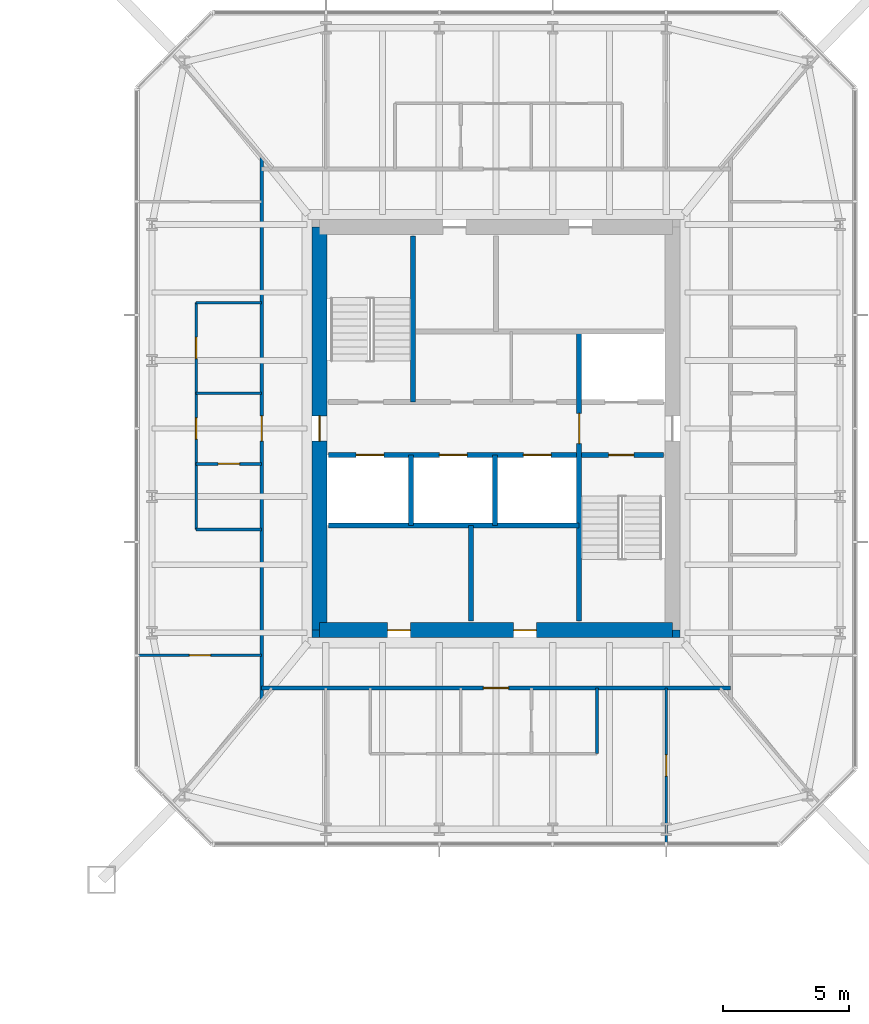
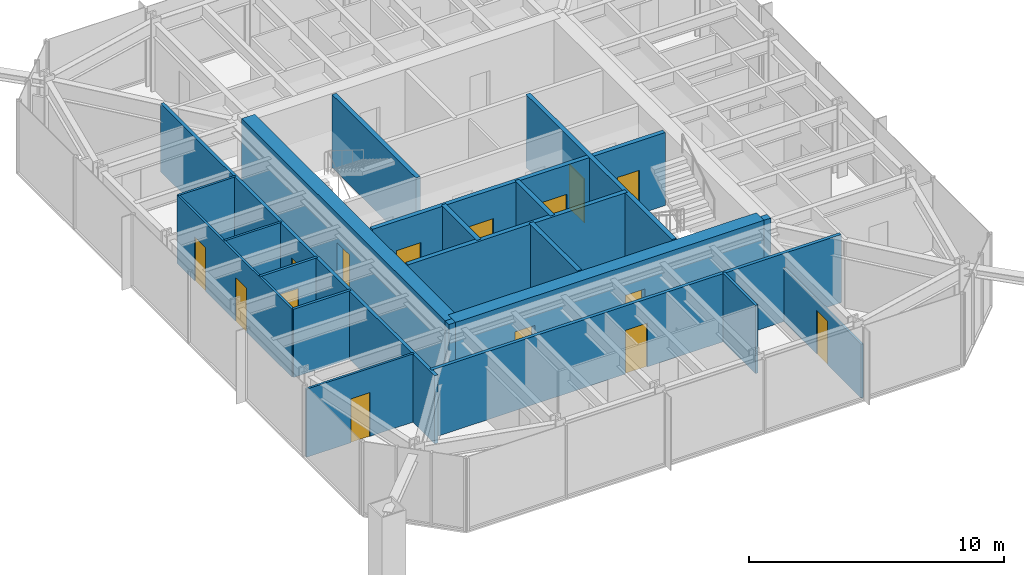
# One storey, part 17 of 25: 21 walls, 15 doors, 15 openings.
"""IFC4 building model written with IfcOpenShell, lengths in metres."""

import ifcopenshell
import ifcopenshell.guid

model = None  # the IFC model being written
_history = None  # IfcOwnerHistory: only IFC2X3 demands one
_inside = {}  # id of a spatial element -> (the spatial element, [elements in it])
_under = {}  # id of a project, library or spatial element -> (it, [spatial elements below it])
_declared = {}  # id of a project -> (the project, [libraries it declares])
_typed = {}  # id of a type object -> (the type object, [elements of that type])
_made_of = {}  # id of a material, layer set ... -> (it, [elements and type objects made of it])


def new_model(schema):
    """Start an empty IFC model of exactly this schema.

    Asked for "IFC4X3", IfcOpenShell would pick the latest addendum, in which some entities
    have other attributes; the version numbers below select the first issue.
    IFC2X3 requires an IfcOwnerHistory on every rooted entity: one is made here for all.
    """
    global model, _history
    if schema == "IFC4X3":
        model = ifcopenshell.file(schema_version=(4, 3, 0, 0))
    else:
        model = ifcopenshell.file(schema=schema)
    _inside.clear()
    _under.clear()
    _declared.clear()
    _typed.clear()
    _made_of.clear()
    _history = None
    if model.schema == "IFC2X3":
        org = make("IfcOrganization", Name="unknown")
        user = make(
            "IfcPersonAndOrganization",
            ThePerson=make("IfcPerson", FamilyName="unknown"),
            TheOrganization=org,
        )
        app = make(
            "IfcApplication",
            ApplicationDeveloper=org,
            Version="unknown",
            ApplicationFullName="unknown",
            ApplicationIdentifier="unknown",
        )
        _history = make(
            "IfcOwnerHistory",
            OwningUser=user,
            OwningApplication=app,
            ChangeAction="ADDED",
            CreationDate=0,
        )
    return model


def make(cls, **values):
    """One entity of the class cls with the attributes given. An attribute that is None is left unset."""
    return model.create_entity(
        cls, **{name: value for name, value in values.items() if value is not None}
    )


def rooted(cls, **values):
    """An entity with a GlobalId (a new one), such as an element, a storey or a relation."""
    return make(cls, GlobalId=ifcopenshell.guid.new(), OwnerHistory=_history, **values)


def si_unit(unit_type, name, prefix=None):
    """IfcSIUnit, for example si_unit("LENGTHUNIT", "METRE", prefix="MILLI")."""
    return make("IfcSIUnit", UnitType=unit_type, Prefix=prefix, Name=name)


def assignment(units):
    """IfcUnitAssignment: the units of a project."""
    return None if units is None else make("IfcUnitAssignment", Units=units)


def point(xyz):
    """IfcCartesianPoint."""
    return None if xyz is None else make("IfcCartesianPoint", Coordinates=xyz)


def direction(xyz):
    """IfcDirection."""
    return None if xyz is None else make("IfcDirection", DirectionRatios=xyz)


def frame(location, z_axis=None, x_axis=None):
    """IfcAxis2Placement3D, a coordinate frame: its origin and axes. An axis left out is left unset."""
    return make(
        "IfcAxis2Placement3D",
        Location=point(location),
        Axis=direction(z_axis),
        RefDirection=direction(x_axis),
    )


def frame_2d(location, x_axis=None):
    """IfcAxis2Placement2D, a coordinate frame in the plane: its origin and x axis."""
    return make(
        "IfcAxis2Placement2D", Location=point(location), RefDirection=direction(x_axis)
    )


def origin():
    """The frame at (0, 0, 0) with its axes left unset."""
    return frame((0.0, 0.0, 0.0))


def place(relative_to, where):
    """IfcLocalPlacement: puts the frame where relative to a parent placement (None: the world)."""
    return make(
        "IfcLocalPlacement", PlacementRelTo=relative_to, RelativePlacement=where
    )


def context(
    kind, dimensions, precision=None, world=None, true_north=None, identifier=None
):
    """IfcGeometricRepresentationContext, for example the 3D "Model" context."""
    return make(
        "IfcGeometricRepresentationContext",
        ContextIdentifier=identifier,
        ContextType=kind,
        CoordinateSpaceDimension=dimensions,
        Precision=precision,
        WorldCoordinateSystem=world,
        TrueNorth=true_north,
    )


def subcontext(parent, identifier, kind, view, scale=None):
    """IfcGeometricRepresentationSubContext, for example "Body" below "Model"."""
    return make(
        "IfcGeometricRepresentationSubContext",
        ContextIdentifier=identifier,
        ContextType=kind,
        ParentContext=parent,
        TargetScale=scale,
        TargetView=view,
    )


def project(units=None, contexts=None):
    """IfcProject with its units and contexts."""
    return rooted(
        "IfcProject",
        Name="project",
        RepresentationContexts=contexts,
        UnitsInContext=assignment(units),
    )


def spatial(cls, under=None, at=None, **own):
    """A site, building, storey or space (cls), placed at a placement, below another one or the project."""
    s = rooted(cls, ObjectPlacement=at, **own)
    if under is not None:
        _under.setdefault(under.id(), (under, []))[1].append(s)
    return s


def profile(cls, at=None, kind="AREA", **sizes):
    """A parametric profile (cls). Its sizes go by their IFC names, for example OverallWidth=200.0."""
    return make(cls, ProfileType=kind, Position=at, **sizes)


def rectangle(**sizes):
    """IfcRectangleProfileDef."""
    return profile("IfcRectangleProfileDef", **sizes)


def extrude(swept, where, along, depth):
    """IfcExtrudedAreaSolid: the profile swept, set in the frame where, extruded along a direction by depth."""
    return make(
        "IfcExtrudedAreaSolid",
        SweptArea=swept,
        Position=where,
        ExtrudedDirection=direction(along),
        Depth=depth,
    )


def shape(context_of_items, identifier, shape_type, items):
    """IfcShapeRepresentation: the items that make up one representation, for example the "Body"."""
    return make(
        "IfcShapeRepresentation",
        ContextOfItems=context_of_items,
        RepresentationIdentifier=identifier,
        RepresentationType=shape_type,
        Items=items,
    )


def material(Name=None, Category=None):
    """IfcMaterial."""
    return make("IfcMaterial", Name=Name, Category=Category)


def layer(
    of_material, thickness, ventilated=None, Name=None, Category=None, Priority=None
):
    """IfcMaterialLayer: one layer of a wall or slab, of a material (None: an air gap)."""
    return make(
        "IfcMaterialLayer",
        Material=of_material,
        LayerThickness=thickness,
        IsVentilated=ventilated,
        Name=Name,
        Category=Category,
        Priority=Priority,
    )


def layer_set(layers, Name=None):
    """IfcMaterialLayerSet."""
    return make("IfcMaterialLayerSet", MaterialLayers=layers, LayerSetName=Name)


def made_of(thing, what):
    """Note that an element or type object is made of a material, layer set ...; save() writes the relation."""
    if what is not None:
        _made_of.setdefault(what.id(), (what, []))[1].append(thing)
    return thing


def type_object(cls, material=None, **own):
    """A type object (cls), such as IfcWallType, which elements share."""
    return made_of(rooted(cls, **own), material)


def element(
    cls,
    number,
    at=None,
    inside=None,
    cuts=None,
    type_object=None,
    material=None,
    context=None,
    identifier="Body",
    shape_type=None,
    held_by="IfcProductDefinitionShape",
    body=None,
    shapes=None,
    **own,
):
    """One element of the class cls, such as IfcWall. Its Tag is "e" and its number.

    at: its placement. inside: the storey or other place that contains it. cuts: it is an
    opening in that element (IfcRelVoidsElement). A single representation is given by context,
    identifier, shape_type and body (its items); several are given by shapes. held_by: the class
    of the entity that holds the representations. save() writes the other relations.
    """
    e = rooted(cls, Tag="e%d" % number, ObjectPlacement=at, **own)
    if body is not None:
        shapes = [shape(context, identifier, shape_type, body)]
    if shapes is not None:
        e.Representation = make(held_by, Representations=shapes)
    if inside is not None:
        _inside.setdefault(inside.id(), (inside, []))[1].append(e)
    if cuts is not None:
        rooted(
            "IfcRelVoidsElement", RelatingBuildingElement=cuts, RelatedOpeningElement=e
        )
    if type_object is not None:
        _typed.setdefault(type_object.id(), (type_object, []))[1].append(e)
    return made_of(e, material)


def fill(opening, filler):
    """IfcRelFillsElement: the door or window that sits in an opening."""
    return rooted(
        "IfcRelFillsElement",
        RelatingOpeningElement=opening,
        RelatedBuildingElement=filler,
    )


def aggregate(whole, parts):
    """IfcRelAggregates: a whole, such as a stair, and the parts it consists of."""
    return rooted("IfcRelAggregates", RelatingObject=whole, RelatedObjects=parts)


def save(model, path):
    """Write the relations noted so far, then the file.

    IfcRelAggregates (storeys below a building ...), IfcRelContainedInSpatialStructure (elements
    in a storey), IfcRelDefinesByType, IfcRelAssociatesMaterial and IfcRelDeclares: one each for
    every whole, place, type object, material and project.
    """
    for whole, parts in _under.values():
        aggregate(whole, parts)
    for where, things in _inside.values():
        rooted(
            "IfcRelContainedInSpatialStructure",
            RelatedElements=things,
            RelatingStructure=where,
        )
    for kind, things in _typed.values():
        rooted("IfcRelDefinesByType", RelatedObjects=things, RelatingType=kind)
    for what, things in _made_of.values():
        rooted("IfcRelAssociatesMaterial", RelatedObjects=things, RelatingMaterial=what)
    for by, libraries in _declared.values():
        rooted("IfcRelDeclares", RelatingContext=by, RelatedDefinitions=libraries)
    model.write(path)


model = new_model("IFC4")

# Units and contexts
model_context = context("Model", 3, precision=1e-05, world=origin(), true_north=direction((0.0, 1.0)))
body_context = subcontext(model_context, "Body", "Model", "MODEL_VIEW")
ifc_project = project(units=[si_unit("LENGTHUNIT", "METRE"), si_unit("AREAUNIT", "SQUARE_METRE"), si_unit("VOLUMEUNIT", "CUBIC_METRE"), si_unit("PLANEANGLEUNIT", "RADIAN"), si_unit("MASSUNIT", "GRAM", prefix="KILO")], contexts=[model_context])

# Site, building, storey
site_placement = place(None, origin())
site = spatial("IfcSite", under=ifc_project, at=site_placement, CompositionType="ELEMENT")
building_placement = place(site_placement, origin())
building = spatial("IfcBuilding", under=site, at=building_placement, Name="Iwan Alto Co-Living Towers", CompositionType="ELEMENT")
storey_placement = place(building_placement, frame((0.0, 0.0, 112.0)))
storey = spatial("IfcBuildingStorey", under=building, at=storey_placement, Name="L30", CompositionType="ELEMENT", Elevation=112.0)

# Wall, opening, door
ifc_material_1 = material(Name="Gypsum board")
ifc_layer_1 = layer(ifc_material_1, 0.02490234375, Name="Board", Category="Finish")
ifc_material_2 = material(Name="Steel ASTM A1003 ST33H cold-formed studs", Category="steel")
ifc_layer_2 = layer(ifc_material_2, 0.10009765625, Name="Studs", Category="Framing")
ifc_layer_3 = layer(ifc_material_1, 0.02490234375, Name="Board", Category="Finish")
ifc_layer_set_1 = layer_set([ifc_layer_1, ifc_layer_2, ifc_layer_3], Name="CORRIDOR WALL 150")
wall_type_1 = type_object("IfcWallType", Name="CORRIDOR WALL 150", PredefinedType="PARTITIONING", material=ifc_layer_set_1)
wall_1_placement = place(storey_placement, frame((53.699951171875, -10.300048828125, 0.0), z_axis=(0.0, 0.0, 1.0), x_axis=(1.0, 0.0, 0.0)))
wall_1 = element("IfcWall", 1, at=wall_1_placement, inside=storey, type_object=wall_type_1, Name="Partition L30", PredefinedType="PARTITIONING", context=body_context, shape_type="SweptSolid", body=[
    extrude(rectangle(XDim=18.60009765625, YDim=0.14990234375, at=frame_2d((9.300048828125, 0.0))), origin(), (0.0, 0.0, 1.0), 3.27001953125),
])
opening_1_placement = place(wall_1_placement, frame((8.800048828125, 0.0, 0.0)))
opening_1 = element("IfcOpeningElement", 2, at=opening_1_placement, cuts=wall_1, Name="Opening D3", PredefinedType="OPENING", context=body_context, shape_type="SweptSolid", body=[
    extrude(rectangle(XDim=1.0, YDim=2.10009765625, at=frame_2d((0.5, 1.050048828125))), frame((0.0, 0.0849609375, 0.0), z_axis=(0.0, -1.0, 0.0), x_axis=(1.0, 0.0, 0.0)), (0.0, 0.0, 1.0), 0.169921875),
])
ifc_material_3 = material(Name="Steel frame with timber leaf", Category="steel")
door_type_1 = type_object("IfcDoorType", Name="FLAT ENTRANCE DOOR FD30S 1000X2100", OperationType="SINGLE_SWING_LEFT", PredefinedType="DOOR", material=ifc_material_3)
door_1_placement = place(opening_1_placement, frame((1.0, 0.0, 0.0), z_axis=(0.0, 0.0, 1.0), x_axis=(-1.0, 0.0, 0.0)))
door_1 = element("IfcDoor", 3, at=door_1_placement, inside=storey, type_object=door_type_1, Name="Apartment foyer door L30", OperationType="SINGLE_SWING_RIGHT", OverallHeight=2.10009765625, OverallWidth=1.0, PredefinedType="DOOR", context=body_context, shape_type="SweptSolid", body=[
    extrude(rectangle(XDim=1.0, YDim=2.10009765625, at=frame_2d((0.5, 1.050048828125))), frame((0.0, 0.02490234375, 0.0), z_axis=(0.0, -1.0, 0.0), x_axis=(1.0, 0.0, 0.0)), (0.0, 0.0, 1.0), 0.050048828125),
])
fill(opening_1, door_1)

wall_2_placement = place(storey_placement, frame((53.699951171875, -10.76806640625, 0.0), z_axis=(0.0, 0.0, 1.0), x_axis=(0.0, 1.0, 0.0)))
wall_2 = element("IfcWall", 4, at=wall_2_placement, inside=storey, type_object=wall_type_1, Name="Partition L30", PredefinedType="PARTITIONING", context=body_context, shape_type="SweptSolid", body=[
    extrude(rectangle(XDim=21.5361328125, YDim=0.14990234375, at=frame_2d((10.76806640625, 0.0))), origin(), (0.0, 0.0, 1.0), 3.27001953125),
])
opening_2_placement = place(wall_2_placement, frame((10.26806640625, 0.0, 0.0)))
opening_2 = element("IfcOpeningElement", 5, at=opening_2_placement, cuts=wall_2, Name="Opening D3", PredefinedType="OPENING", context=body_context, shape_type="SweptSolid", body=[
    extrude(rectangle(XDim=1.0, YDim=2.10009765625, at=frame_2d((0.5, 1.050048828125))), frame((0.0, 0.0849609375, 0.0), z_axis=(0.0, -1.0, 0.0), x_axis=(1.0, 0.0, 0.0)), (0.0, 0.0, 1.0), 0.169921875),
])
door_2_placement = place(opening_2_placement, origin())
door_2 = element("IfcDoor", 6, at=door_2_placement, inside=storey, type_object=door_type_1, Name="Apartment foyer door L30", OperationType="SINGLE_SWING_LEFT", OverallHeight=2.10009765625, OverallWidth=1.0, PredefinedType="DOOR", context=body_context, shape_type="SweptSolid", body=[
    extrude(rectangle(XDim=1.0, YDim=2.10009765625, at=frame_2d((0.5, 1.050048828125))), frame((0.0, 0.02490234375, 0.0), z_axis=(0.0, -1.0, 0.0), x_axis=(1.0, 0.0, 0.0)), (0.0, 0.0, 1.0), 0.050048828125),
])
fill(opening_2, door_2)

ifc_layer_4 = layer(ifc_material_1, 0.012451171875, Name="Board", Category="Finish")
ifc_layer_5 = layer(ifc_material_2, 0.074951171875, Name="Studs", Category="Framing")
ifc_layer_6 = layer(ifc_material_1, 0.012451171875, Name="Board", Category="Finish")
ifc_layer_set_2 = layer_set([ifc_layer_4, ifc_layer_5, ifc_layer_6], Name="PARTITION 100")
wall_type_2 = type_object("IfcWallType", Name="PARTITION 100", PredefinedType="PARTITIONING", material=ifc_layer_set_2)
wall_3_placement = place(storey_placement, frame((48.81005859375, -9.0, 0.0), z_axis=(0.0, 0.0, 1.0), x_axis=(1.0, 0.0, 0.0)))
wall_3 = element("IfcWall", 7, at=wall_3_placement, inside=storey, type_object=wall_type_2, Name="Partition L30", PredefinedType="PARTITIONING", context=body_context, shape_type="SweptSolid", body=[
    extrude(rectangle(XDim=4.889892578125, YDim=0.10009765625, at=frame_2d((2.44482421875, 0.0))), origin(), (0.0, 0.0, 1.0), 3.27001953125),
])
opening_3_placement = place(wall_3_placement, frame((2.02001953125, 0.0, 0.0)))
opening_3 = element("IfcOpeningElement", 8, at=opening_3_placement, cuts=wall_3, Name="Opening D2", PredefinedType="OPENING", context=body_context, shape_type="SweptSolid", body=[
    extrude(rectangle(XDim=0.85009765625, YDim=2.10009765625, at=frame_2d((0.425048828125, 1.050048828125))), frame((0.0, 0.06005859375, 0.0), z_axis=(0.0, -1.0, 0.0), x_axis=(1.0, 0.0, 0.0)), (0.0, 0.0, 1.0), 0.1201171875),
])
ifc_material_4 = material(Name="Timber leaf in steel frame", Category="steel")
door_type_2 = type_object("IfcDoorType", Name="ROOM DOOR 850X2100", OperationType="SINGLE_SWING_LEFT", PredefinedType="DOOR", material=ifc_material_4)
door_3_placement = place(opening_3_placement, origin())
door_3 = element("IfcDoor", 9, at=door_3_placement, inside=storey, type_object=door_type_2, Name="Study door L30", OperationType="SINGLE_SWING_RIGHT", OverallHeight=2.10009765625, OverallWidth=0.85009765625, PredefinedType="DOOR", context=body_context, shape_type="SweptSolid", body=[
    extrude(rectangle(XDim=0.85009765625, YDim=2.10009765625, at=frame_2d((0.425048828125, 1.050048828125))), frame((0.0, 0.02490234375, 0.0), z_axis=(0.0, -1.0, 0.0), x_axis=(1.0, 0.0, 0.0)), (0.0, 0.0, 1.0), 0.050048828125),
])
fill(opening_3, door_3)

# Walls
for number, where, z_axis, x_axis, name in (
    (10, (51.10009765625, 1.39990234375, 0.0), (0.0, 0.0, 1.0), (1.0, 0.0, 0.0), "Partition L30"),
    (11, (51.10009765625, 5.0, 0.0), (0.0, 0.0, 1.0), (1.0, 0.0, 0.0), "Partition L30"),
):
    element("IfcWall", number, at=place(storey_placement, frame(where, z_axis=z_axis, x_axis=x_axis)), inside=storey, type_object=wall_type_2, Name=name, PredefinedType="PARTITIONING", context=body_context, shape_type="SweptSolid", body=[
        extrude(rectangle(XDim=2.599853515625, YDim=0.10009765625, at=frame_2d((1.2998046875, 0.0))), origin(), (0.0, 0.0, 1.0), 3.27001953125),
    ])

# Wall, opening, door
wall_4_placement = place(storey_placement, frame((69.75, -16.43994140625, 0.0), z_axis=(0.0, 0.0, 1.0), x_axis=(0.0, 1.0, 0.0)))
wall_4 = element("IfcWall", 12, at=wall_4_placement, inside=storey, type_object=wall_type_2, Name="Partition L30", PredefinedType="PARTITIONING", context=body_context, shape_type="SweptSolid", body=[
    extrude(rectangle(XDim=6.139892578125, YDim=0.10009765625, at=frame_2d((3.06982421875, 0.0))), origin(), (0.0, 0.0, 1.0), 2.586669921875),
])
opening_4_placement = place(wall_4_placement, frame((2.64501953125, 0.0, 0.0)))
opening_4 = element("IfcOpeningElement", 13, at=opening_4_placement, cuts=wall_4, Name="Opening D2", PredefinedType="OPENING", context=body_context, shape_type="SweptSolid", body=[
    extrude(rectangle(XDim=0.85009765625, YDim=2.10009765625, at=frame_2d((0.425048828125, 1.050048828125))), frame((0.0, 0.06005859375, 0.0), z_axis=(0.0, -1.0, 0.0), x_axis=(1.0, 0.0, 0.0)), (0.0, 0.0, 1.0), 0.1201171875),
])
door_4_placement = place(opening_4_placement, origin())
door_4 = element("IfcDoor", 14, at=door_4_placement, inside=storey, type_object=door_type_2, Name="Bedroom door L30", OperationType="SINGLE_SWING_RIGHT", OverallHeight=2.10009765625, OverallWidth=0.85009765625, PredefinedType="DOOR", context=body_context, shape_type="SweptSolid", body=[
    extrude(rectangle(XDim=0.85009765625, YDim=2.10009765625, at=frame_2d((0.425048828125, 1.050048828125))), frame((0.0, 0.02490234375, 0.0), z_axis=(0.0, -1.0, 0.0), x_axis=(1.0, 0.0, 0.0)), (0.0, 0.0, 1.0), 0.050048828125),
])
fill(opening_4, door_4)

# Wall, openings, doors
wall_5_placement = place(storey_placement, frame((51.10009765625, -4.0, 0.0), z_axis=(0.0, 0.0, 1.0), x_axis=(0.0, 1.0, 0.0)))
wall_5 = element("IfcWall", 15, at=wall_5_placement, inside=storey, type_object=wall_type_2, Name="Partition L30", PredefinedType="PARTITIONING", context=body_context, shape_type="SweptSolid", body=[
    extrude(rectangle(XDim=9.0, YDim=0.10009765625, at=frame_2d((4.5, 0.0))), origin(), (0.0, 0.0, 1.0), 3.27001953125),
])
opening_5_placement = place(wall_5_placement, frame((6.77490234375, 0.0, 0.0)))
opening_5 = element("IfcOpeningElement", 16, at=opening_5_placement, cuts=wall_5, Name="Opening D2", PredefinedType="OPENING", context=body_context, shape_type="SweptSolid", body=[
    extrude(rectangle(XDim=0.85009765625, YDim=2.10009765625, at=frame_2d((0.425048828125, 1.050048828125))), frame((0.0, 0.06005859375, 0.0), z_axis=(0.0, -1.0, 0.0), x_axis=(1.0, 0.0, 0.0)), (0.0, 0.0, 1.0), 0.1201171875),
])
opening_6_placement = place(wall_5_placement, frame((3.574951171875, 0.0, 0.0)))
opening_6 = element("IfcOpeningElement", 17, at=opening_6_placement, cuts=wall_5, Name="Opening D2", PredefinedType="OPENING", context=body_context, shape_type="SweptSolid", body=[
    extrude(rectangle(XDim=0.85009765625, YDim=2.10009765625, at=frame_2d((0.425048828125, 1.050048828125))), frame((0.0, 0.06005859375, 0.0), z_axis=(0.0, -1.0, 0.0), x_axis=(1.0, 0.0, 0.0)), (0.0, 0.0, 1.0), 0.1201171875),
])
door_5_placement = place(opening_5_placement, origin())
door_5 = element("IfcDoor", 18, at=door_5_placement, inside=storey, type_object=door_type_2, Name="Kitchen door L30", OperationType="SINGLE_SWING_RIGHT", OverallHeight=2.10009765625, OverallWidth=0.85009765625, PredefinedType="DOOR", context=body_context, shape_type="SweptSolid", body=[
    extrude(rectangle(XDim=0.85009765625, YDim=2.10009765625, at=frame_2d((0.425048828125, 1.050048828125))), frame((0.0, 0.02490234375, 0.0), z_axis=(0.0, -1.0, 0.0), x_axis=(1.0, 0.0, 0.0)), (0.0, 0.0, 1.0), 0.050048828125),
])
fill(opening_5, door_5)
door_6_placement = place(opening_6_placement, origin())
door_6 = element("IfcDoor", 19, at=door_6_placement, inside=storey, type_object=door_type_2, Name="Apartment foyer door L30", OperationType="SINGLE_SWING_LEFT", OverallHeight=2.10009765625, OverallWidth=0.85009765625, PredefinedType="DOOR", context=body_context, shape_type="SweptSolid", body=[
    extrude(rectangle(XDim=0.85009765625, YDim=2.10009765625, at=frame_2d((0.425048828125, 1.050048828125))), frame((0.0, 0.02490234375, 0.0), z_axis=(0.0, -1.0, 0.0), x_axis=(1.0, 0.0, 0.0)), (0.0, 0.0, 1.0), 0.050048828125),
])
fill(opening_6, door_6)

# Wall
ifc_material_5 = material(Name="Concrete f'c 70 MPa", Category="concrete")
ifc_layer_7 = layer(ifc_material_5, 0.199951171875)
ifc_layer_set_3 = layer_set([ifc_layer_7], Name="SHAFT WALL 200")
wall_type_3 = type_object("IfcWallType", Name="SHAFT WALL 200", PredefinedType="SOLIDWALL", material=ifc_layer_set_3)
wall_6_placement = place(storey_placement, frame((56.360107421875, -3.85009765625, 0.0), z_axis=(0.0, 0.0, 1.0), x_axis=(1.0, 0.0, 0.0)))
element("IfcWall", 20, at=wall_6_placement, inside=storey, type_object=wall_type_3, Name="Shaft wall L30", PredefinedType="SOLIDWALL", context=body_context, shape_type="SweptSolid", body=[
    extrude(rectangle(XDim=9.93994140625, YDim=0.199951171875, at=frame_2d((4.969970703125, 0.0))), origin(), (0.0, 0.0, 1.0), 3.5),
])

# Wall, openings, doors
wall_7_placement = place(storey_placement, frame((56.360107421875, -1.050048828125, 0.0), z_axis=(0.0, 0.0, 1.0), x_axis=(1.0, 0.0, 0.0)))
wall_7 = element("IfcWall", 21, at=wall_7_placement, inside=storey, type_object=wall_type_3, Name="Shaft wall L30", PredefinedType="SOLIDWALL", context=body_context, shape_type="SweptSolid", body=[
    extrude(rectangle(XDim=13.27978515625, YDim=0.199951171875, at=frame_2d((6.639892578125, 0.0))), origin(), (0.0, 0.0, 1.0), 3.5),
])
opening_7_placement = place(wall_7_placement, frame((11.110107421875, 0.0, 0.0)))
opening_7 = element("IfcOpeningElement", 22, at=opening_7_placement, cuts=wall_7, Name="Opening D5", PredefinedType="OPENING", context=body_context, shape_type="SweptSolid", body=[
    extrude(rectangle(XDim=1.0, YDim=2.10009765625, at=frame_2d((0.5, 1.050048828125))), frame((0.0, 0.10986328125, 0.0), z_axis=(0.0, -1.0, 0.0), x_axis=(1.0, 0.0, 0.0)), (0.0, 0.0, 1.0), 0.219970703125),
])
opening_8_placement = place(wall_7_placement, frame((1.0869140625, 0.0, 0.0)))
opening_8 = element("IfcOpeningElement", 23, at=opening_8_placement, cuts=wall_7, Name="Opening LD", PredefinedType="OPENING", context=body_context, shape_type="SweptSolid", body=[
    extrude(rectangle(XDim=1.10009765625, YDim=2.10009765625, at=frame_2d((0.550048828125, 1.050048828125))), frame((0.0, 0.10986328125, 0.0), z_axis=(0.0, -1.0, 0.0), x_axis=(1.0, 0.0, 0.0)), (0.0, 0.0, 1.0), 0.219970703125),
])
opening_9_placement = place(wall_7_placement, frame((4.389892578125, 0.0, 0.0)))
opening_9 = element("IfcOpeningElement", 24, at=opening_9_placement, cuts=wall_7, Name="Opening LD", PredefinedType="OPENING", context=body_context, shape_type="SweptSolid", body=[
    extrude(rectangle(XDim=1.10009765625, YDim=2.10009765625, at=frame_2d((0.550048828125, 1.050048828125))), frame((0.0, 0.10986328125, 0.0), z_axis=(0.0, -1.0, 0.0), x_axis=(1.0, 0.0, 0.0)), (0.0, 0.0, 1.0), 0.219970703125),
])
opening_10_placement = place(wall_7_placement, frame((7.72412109375, 0.0, 0.0)))
opening_10 = element("IfcOpeningElement", 25, at=opening_10_placement, cuts=wall_7, Name="Opening LD", PredefinedType="OPENING", context=body_context, shape_type="SweptSolid", body=[
    extrude(rectangle(XDim=1.10009765625, YDim=2.10009765625, at=frame_2d((0.550048828125, 1.050048828125))), frame((0.0, 0.10986328125, 0.0), z_axis=(0.0, -1.0, 0.0), x_axis=(1.0, 0.0, 0.0)), (0.0, 0.0, 1.0), 0.219970703125),
])
ifc_material_6 = material(Name="Steel frame with timber leaf", Category="steel")
door_type_3 = type_object("IfcDoorType", Name="LIFT LANDING DOOR 1100X2100", OperationType="DOUBLE_DOOR_SLIDING", PredefinedType="DOOR", material=ifc_material_6)
door_7_placement = place(opening_8_placement, origin())
door_7 = element("IfcDoor", 26, at=door_7_placement, inside=storey, type_object=door_type_3, Name="Lift P5-1 landing door L30", OperationType="DOUBLE_DOOR_SLIDING", OverallHeight=2.10009765625, OverallWidth=1.10009765625, PredefinedType="DOOR", context=body_context, shape_type="SweptSolid", body=[
    extrude(rectangle(XDim=1.10009765625, YDim=2.10009765625, at=frame_2d((0.550048828125, 1.050048828125))), frame((0.0, 0.02490234375, 0.0), z_axis=(0.0, -1.0, 0.0), x_axis=(1.0, 0.0, 0.0)), (0.0, 0.0, 1.0), 0.050048828125),
])
fill(opening_8, door_7)
door_8_placement = place(opening_9_placement, origin())
door_8 = element("IfcDoor", 27, at=door_8_placement, inside=storey, type_object=door_type_3, Name="Lift P5-2 landing door L30", OperationType="DOUBLE_DOOR_SLIDING", OverallHeight=2.10009765625, OverallWidth=1.10009765625, PredefinedType="DOOR", context=body_context, shape_type="SweptSolid", body=[
    extrude(rectangle(XDim=1.10009765625, YDim=2.10009765625, at=frame_2d((0.550048828125, 1.050048828125))), frame((0.0, 0.02490234375, 0.0), z_axis=(0.0, -1.0, 0.0), x_axis=(1.0, 0.0, 0.0)), (0.0, 0.0, 1.0), 0.050048828125),
])
fill(opening_9, door_8)
door_9_placement = place(opening_10_placement, origin())
door_9 = element("IfcDoor", 28, at=door_9_placement, inside=storey, type_object=door_type_3, Name="Lift P6-3 landing door L30", OperationType="DOUBLE_DOOR_SLIDING", OverallHeight=2.10009765625, OverallWidth=1.10009765625, PredefinedType="DOOR", context=body_context, shape_type="SweptSolid", body=[
    extrude(rectangle(XDim=1.10009765625, YDim=2.10009765625, at=frame_2d((0.550048828125, 1.050048828125))), frame((0.0, 0.02490234375, 0.0), z_axis=(0.0, -1.0, 0.0), x_axis=(1.0, 0.0, 0.0)), (0.0, 0.0, 1.0), 0.050048828125),
])
fill(opening_10, door_9)
ifc_material_7 = material(Name="Steel frame with timber leaf", Category="steel")
door_type_4 = type_object("IfcDoorType", Name="STAIR DOOR FD120S 1000X2100", OperationType="SINGLE_SWING_LEFT", PredefinedType="DOOR", material=ifc_material_7)
door_10_placement = place(opening_7_placement, frame((1.0, 0.0, 0.0), z_axis=(0.0, 0.0, 1.0), x_axis=(-1.0, 0.0, 0.0)))
door_10 = element("IfcDoor", 29, at=door_10_placement, inside=storey, type_object=door_type_4, Name="Stair S2 door L30", OperationType="SINGLE_SWING_RIGHT", OverallHeight=2.10009765625, OverallWidth=1.0, PredefinedType="DOOR", context=body_context, shape_type="SweptSolid", body=[
    extrude(rectangle(XDim=1.0, YDim=2.10009765625, at=frame_2d((0.5, 1.050048828125))), frame((0.0, 0.02490234375, 0.0), z_axis=(0.0, -1.0, 0.0), x_axis=(1.0, 0.0, 0.0)), (0.0, 0.0, 1.0), 0.050048828125),
])
fill(opening_7, door_10)

# Wall, opening, door
wall_8_placement = place(storey_placement, frame((66.300048828125, -7.639892578125, 0.0), z_axis=(0.0, 0.0, 1.0), x_axis=(0.0, 1.0, 0.0)))
wall_8 = element("IfcWall", 30, at=wall_8_placement, inside=storey, type_object=wall_type_3, Name="Shaft wall L30", PredefinedType="SOLIDWALL", context=body_context, shape_type="SweptSolid", body=[
    extrude(rectangle(XDim=11.489990234375, YDim=0.199951171875, at=frame_2d((5.7451171875, 0.0))), origin(), (0.0, 0.0, 1.0), 3.5),
])
opening_11_placement = place(wall_8_placement, frame((7.0400390625, 0.0, 0.0)))
opening_11 = element("IfcOpeningElement", 31, at=opening_11_placement, cuts=wall_8, Name="Opening D6", PredefinedType="OPENING", context=body_context, shape_type="SweptSolid", body=[
    extrude(rectangle(XDim=1.199951171875, YDim=2.10009765625, at=frame_2d((0.60009765625, 1.050048828125))), frame((0.0, 0.10986328125, 0.0), z_axis=(0.0, -1.0, 0.0), x_axis=(1.0, 0.0, 0.0)), (0.0, 0.0, 1.0), 0.219970703125),
])
ifc_material_8 = material(Name="Steel frame with timber leaf", Category="steel")
door_type_5 = type_object("IfcDoorType", Name="LOBBY DOOR FD120S 1200X2100", OperationType="SINGLE_SWING_LEFT", PredefinedType="DOOR", material=ifc_material_8)
door_11_placement = place(opening_11_placement, frame((1.199951171875, 0.0, 0.0), z_axis=(0.0, 0.0, 1.0), x_axis=(-1.0, 0.0, 0.0)))
door_11 = element("IfcDoor", 32, at=door_11_placement, inside=storey, type_object=door_type_5, Name="Firefighting lobby door L30", OperationType="SINGLE_SWING_RIGHT", OverallHeight=2.10009765625, OverallWidth=1.199951171875, PredefinedType="DOOR", context=body_context, shape_type="SweptSolid", body=[
    extrude(rectangle(XDim=1.199951171875, YDim=2.10009765625, at=frame_2d((0.60009765625, 1.050048828125))), frame((0.0, 0.02490234375, 0.0), z_axis=(0.0, -1.0, 0.0), x_axis=(1.0, 0.0, 0.0)), (0.0, 0.0, 1.0), 0.050048828125),
])
fill(opening_11, door_11)

# Walls
wall_9_placement = place(storey_placement, frame((62.967041015625, -3.85009765625, 0.0), z_axis=(0.0, 0.0, 1.0), x_axis=(0.0, 1.0, 0.0)))
element("IfcWall", 33, at=wall_9_placement, inside=storey, type_object=wall_type_3, Name="Shaft wall L30", PredefinedType="SOLIDWALL", context=body_context, shape_type="SweptSolid", body=[
    extrude(rectangle(XDim=2.800048828125, YDim=0.199951171875, at=frame_2d((1.39990234375, 0.0))), origin(), (0.0, 0.0, 1.0), 3.5),
])
wall_10_placement = place(storey_placement, frame((62.0, -7.639892578125, 0.0), z_axis=(0.0, 0.0, 1.0), x_axis=(0.0, 1.0, 0.0)))
element("IfcWall", 34, at=wall_10_placement, inside=storey, type_object=wall_type_3, Name="Shaft wall L30", PredefinedType="SOLIDWALL", context=body_context, shape_type="SweptSolid", body=[
    extrude(rectangle(XDim=3.789794921875, YDim=0.199951171875, at=frame_2d((1.89501953125, 0.0))), origin(), (0.0, 0.0, 1.0), 3.5),
])
wall_11_placement = place(storey_placement, frame((59.699951171875, 1.050048828125, 0.0), z_axis=(0.0, 0.0, 1.0), x_axis=(0.0, 1.0, 0.0)))
element("IfcWall", 35, at=wall_11_placement, inside=storey, type_object=wall_type_3, Name="Shaft wall L30", PredefinedType="SOLIDWALL", context=body_context, shape_type="SweptSolid", body=[
    extrude(rectangle(XDim=6.58984375, YDim=0.199951171875, at=frame_2d((3.294921875, 0.0))), origin(), (0.0, 0.0, 1.0), 3.5),
])
wall_12_placement = place(storey_placement, frame((59.633056640625, -3.85009765625, 0.0), z_axis=(0.0, 0.0, 1.0), x_axis=(0.0, 1.0, 0.0)))
element("IfcWall", 36, at=wall_12_placement, inside=storey, type_object=wall_type_3, Name="Shaft wall L30", PredefinedType="SOLIDWALL", context=body_context, shape_type="SweptSolid", body=[
    extrude(rectangle(XDim=2.800048828125, YDim=0.199951171875, at=frame_2d((1.39990234375, 0.0))), origin(), (0.0, 0.0, 1.0), 3.5),
])
ifc_material_9 = material(Name="Concrete f'c 70 MPa", Category="concrete")
ifc_layer_8 = layer(ifc_material_9, 0.300048828125)
ifc_layer_set_4 = layer_set([ifc_layer_8], Name="T2 CORE CORNER FILL 300")
wall_type_4 = type_object("IfcWallType", Name="T2 CORE CORNER FILL 300", PredefinedType="SOLIDWALL", material=ifc_layer_set_4)
for number, where, z_axis, x_axis, name in (
    (37, (55.699951171875, -8.14990234375, 0.0), (0.0, 0.0, 1.0), (1.0, 0.0, 0.0), "T2 core corner SW L30"),
    (38, (70.0, -8.14990234375, 0.0), (0.0, 0.0, 1.0), (1.0, 0.0, 0.0), "T2 core corner SE L30"),
):
    element("IfcWall", number, at=place(storey_placement, frame(where, z_axis=z_axis, x_axis=x_axis)), inside=storey, type_object=wall_type_4, Name=name, PredefinedType="SOLIDWALL", context=body_context, shape_type="SweptSolid", body=[
        extrude(rectangle(XDim=0.300048828125, YDim=0.300048828125, at=frame_2d((0.14990234375, 0.0))), origin(), (0.0, 0.0, 1.0), 3.5),
    ])

# Wall, openings, doors
ifc_material_10 = material(Name="Concrete f'c 70 MPa", Category="concrete")
ifc_layer_9 = layer(ifc_material_10, 0.60009765625)
ifc_layer_set_5 = layer_set([ifc_layer_9], Name="T2 CORE WALL 600")
wall_type_5 = type_object("IfcWallType", Name="T2 CORE WALL 600", PredefinedType="SHEAR", material=ifc_layer_set_5)
wall_13_placement = place(storey_placement, frame((56.0, -8.0, 0.0), z_axis=(0.0, 0.0, 1.0), x_axis=(1.0, 0.0, 0.0)))
wall_13 = element("IfcWall", 39, at=wall_13_placement, inside=storey, type_object=wall_type_5, Name="T2 core wall S L30", PredefinedType="SHEAR", context=body_context, shape_type="SweptSolid", body=[
    extrude(rectangle(XDim=14.0, YDim=0.60009765625, at=frame_2d((7.0, 0.0))), origin(), (0.0, 0.0, 1.0), 3.5),
])
opening_12_placement = place(wall_13_placement, frame((2.699951171875, 0.0, 0.0)))
opening_12 = element("IfcOpeningElement", 40, at=opening_12_placement, cuts=wall_13, Name="Opening D8", PredefinedType="OPENING", context=body_context, shape_type="SweptSolid", body=[
    extrude(rectangle(XDim=0.89990234375, YDim=2.10009765625, at=frame_2d((0.449951171875, 1.050048828125))), frame((0.0, 0.31005859375, 0.0), z_axis=(0.0, -1.0, 0.0), x_axis=(1.0, 0.0, 0.0)), (0.0, 0.0, 1.0), 0.6201171875),
])
opening_13_placement = place(wall_13_placement, frame((7.699951171875, 0.0, 0.0)))
opening_13 = element("IfcOpeningElement", 41, at=opening_13_placement, cuts=wall_13, Name="Opening D8", PredefinedType="OPENING", context=body_context, shape_type="SweptSolid", body=[
    extrude(rectangle(XDim=0.89990234375, YDim=2.10009765625, at=frame_2d((0.449951171875, 1.050048828125))), frame((0.0, 0.31005859375, 0.0), z_axis=(0.0, -1.0, 0.0), x_axis=(1.0, 0.0, 0.0)), (0.0, 0.0, 1.0), 0.6201171875),
])
ifc_material_11 = material(Name="Steel frame with timber leaf", Category="steel")
door_type_6 = type_object("IfcDoorType", Name="RISER DOOR FD120 900X2100", OperationType="SINGLE_SWING_LEFT", PredefinedType="DOOR", material=ifc_material_11)
door_12_placement = place(opening_12_placement, origin())
door_12 = element("IfcDoor", 42, at=door_12_placement, inside=storey, type_object=door_type_6, Name="Refuse room core door L30", OperationType="SINGLE_SWING_LEFT", OverallHeight=2.10009765625, OverallWidth=0.89990234375, PredefinedType="DOOR", context=body_context, shape_type="SweptSolid", body=[
    extrude(rectangle(XDim=0.89990234375, YDim=2.10009765625, at=frame_2d((0.449951171875, 1.050048828125))), frame((0.0, 0.02490234375, 0.0), z_axis=(0.0, -1.0, 0.0), x_axis=(1.0, 0.0, 0.0)), (0.0, 0.0, 1.0), 0.050048828125),
])
fill(opening_12, door_12)
door_13_placement = place(opening_13_placement, origin())
door_13 = element("IfcDoor", 43, at=door_13_placement, inside=storey, type_object=door_type_6, Name="Telecom riser core door L30", OperationType="SINGLE_SWING_LEFT", OverallHeight=2.10009765625, OverallWidth=0.89990234375, PredefinedType="DOOR", context=body_context, shape_type="SweptSolid", body=[
    extrude(rectangle(XDim=0.89990234375, YDim=2.10009765625, at=frame_2d((0.449951171875, 1.050048828125))), frame((0.0, 0.02490234375, 0.0), z_axis=(0.0, -1.0, 0.0), x_axis=(1.0, 0.0, 0.0)), (0.0, 0.0, 1.0), 0.050048828125),
])
fill(opening_13, door_13)

# Wall, opening, door
wall_14_placement = place(storey_placement, frame((56.0, 8.0, 0.0), z_axis=(0.0, 0.0, 1.0), x_axis=(0.0, -1.0, 0.0)))
wall_14 = element("IfcWall", 44, at=wall_14_placement, inside=storey, type_object=wall_type_5, Name="T2 core wall W L30", PredefinedType="SHEAR", context=body_context, shape_type="SweptSolid", body=[
    extrude(rectangle(XDim=16.0, YDim=0.60009765625, at=frame_2d((8.0, 0.0))), origin(), (0.0, 0.0, 1.0), 3.5),
])
opening_14_placement = place(wall_14_placement, frame((7.5, 0.0, 0.0)))
opening_14 = element("IfcOpeningElement", 45, at=opening_14_placement, cuts=wall_14, Name="Opening D7", PredefinedType="OPENING", context=body_context, shape_type="SweptSolid", body=[
    extrude(rectangle(XDim=1.0, YDim=2.10009765625, at=frame_2d((0.5, 1.050048828125))), frame((0.0, 0.31005859375, 0.0), z_axis=(0.0, -1.0, 0.0), x_axis=(1.0, 0.0, 0.0)), (0.0, 0.0, 1.0), 0.6201171875),
])
ifc_material_12 = material(Name="Steel frame with timber leaf", Category="steel")
door_type_7 = type_object("IfcDoorType", Name="CORE DOOR FD120S 1000X2100", OperationType="SINGLE_SWING_LEFT", PredefinedType="DOOR", material=ifc_material_12)
door_14_placement = place(opening_14_placement, origin())
door_14 = element("IfcDoor", 46, at=door_14_placement, inside=storey, type_object=door_type_7, Name="Lift lobby core door L30", OperationType="SINGLE_SWING_RIGHT", OverallHeight=2.10009765625, OverallWidth=1.0, PredefinedType="DOOR", context=body_context, shape_type="SweptSolid", body=[
    extrude(rectangle(XDim=1.0, YDim=2.10009765625, at=frame_2d((0.5, 1.050048828125))), frame((0.0, 0.02490234375, 0.0), z_axis=(0.0, -1.0, 0.0), x_axis=(1.0, 0.0, 0.0)), (0.0, 0.0, 1.0), 0.050048828125),
])
fill(opening_14, door_14)

# Wall
ifc_material_13 = material(Name="Cement board")
ifc_layer_10 = layer(ifc_material_13, 0.012451171875, Name="Board", Category="Finish")
ifc_layer_11 = layer(ifc_material_2, 0.094970703125, Name="Studs", Category="Framing")
ifc_layer_12 = layer(ifc_material_13, 0.012451171875, Name="Board", Category="Finish")
ifc_layer_set_6 = layer_set([ifc_layer_10, ifc_layer_11, ifc_layer_12], Name="WET AREA PARTITION 120")
wall_type_6 = type_object("IfcWallType", Name="WET AREA PARTITION 120", PredefinedType="PARTITIONING", material=ifc_layer_set_6)
wall_15_placement = place(storey_placement, frame((51.10009765625, -4.0, 0.0), z_axis=(0.0, 0.0, 1.0), x_axis=(1.0, 0.0, 0.0)))
element("IfcWall", 47, at=wall_15_placement, inside=storey, type_object=wall_type_6, Name="Partition L30", PredefinedType="PARTITIONING", context=body_context, shape_type="SweptSolid", body=[
    extrude(rectangle(XDim=2.599853515625, YDim=0.1201171875, at=frame_2d((1.2998046875, 0.0))), origin(), (0.0, 0.0, 1.0), 3.27001953125),
])

# Wall, opening, door
wall_16_placement = place(storey_placement, frame((51.10009765625, -1.39990234375, 0.0), z_axis=(0.0, 0.0, 1.0), x_axis=(1.0, 0.0, 0.0)))
wall_16 = element("IfcWall", 48, at=wall_16_placement, inside=storey, type_object=wall_type_6, Name="Partition L30", PredefinedType="PARTITIONING", context=body_context, shape_type="SweptSolid", body=[
    extrude(rectangle(XDim=2.599853515625, YDim=0.1201171875, at=frame_2d((1.2998046875, 0.0))), origin(), (0.0, 0.0, 1.0), 3.27001953125),
])
opening_15_placement = place(wall_16_placement, frame((0.875, 0.0, 0.0)))
opening_15 = element("IfcOpeningElement", 49, at=opening_15_placement, cuts=wall_16, Name="Opening D2", PredefinedType="OPENING", context=body_context, shape_type="SweptSolid", body=[
    extrude(rectangle(XDim=0.85009765625, YDim=2.10009765625, at=frame_2d((0.425048828125, 1.050048828125))), frame((0.0, 0.070068359375, 0.0), z_axis=(0.0, -1.0, 0.0), x_axis=(1.0, 0.0, 0.0)), (0.0, 0.0, 1.0), 0.14013671875),
])
door_15_placement = place(opening_15_placement, frame((0.85009765625, 0.0, 0.0), z_axis=(0.0, 0.0, 1.0), x_axis=(-1.0, 0.0, 0.0)))
door_15 = element("IfcDoor", 50, at=door_15_placement, inside=storey, type_object=door_type_2, Name="Bathroom door L30", OperationType="SINGLE_SWING_RIGHT", OverallHeight=2.10009765625, OverallWidth=0.85009765625, PredefinedType="DOOR", context=body_context, shape_type="SweptSolid", body=[
    extrude(rectangle(XDim=0.85009765625, YDim=2.10009765625, at=frame_2d((0.425048828125, 1.050048828125))), frame((0.0, 0.02490234375, 0.0), z_axis=(0.0, -1.0, 0.0), x_axis=(1.0, 0.0, 0.0)), (0.0, 0.0, 1.0), 0.050048828125),
])
fill(opening_15, door_15)

# Wall
wall_17_placement = place(storey_placement, frame((67.0, -12.89990234375, 0.0), z_axis=(0.0, 0.0, 1.0), x_axis=(0.0, 1.0, 0.0)))
element("IfcWall", 51, at=wall_17_placement, inside=storey, type_object=wall_type_6, Name="Partition L30", PredefinedType="PARTITIONING", context=body_context, shape_type="SweptSolid", body=[
    extrude(rectangle(XDim=2.599853515625, YDim=0.1201171875, at=frame_2d((1.2998046875, 0.0))), origin(), (0.0, 0.0, 1.0), 3.27001953125),
])

save(model, "model.ifc")
